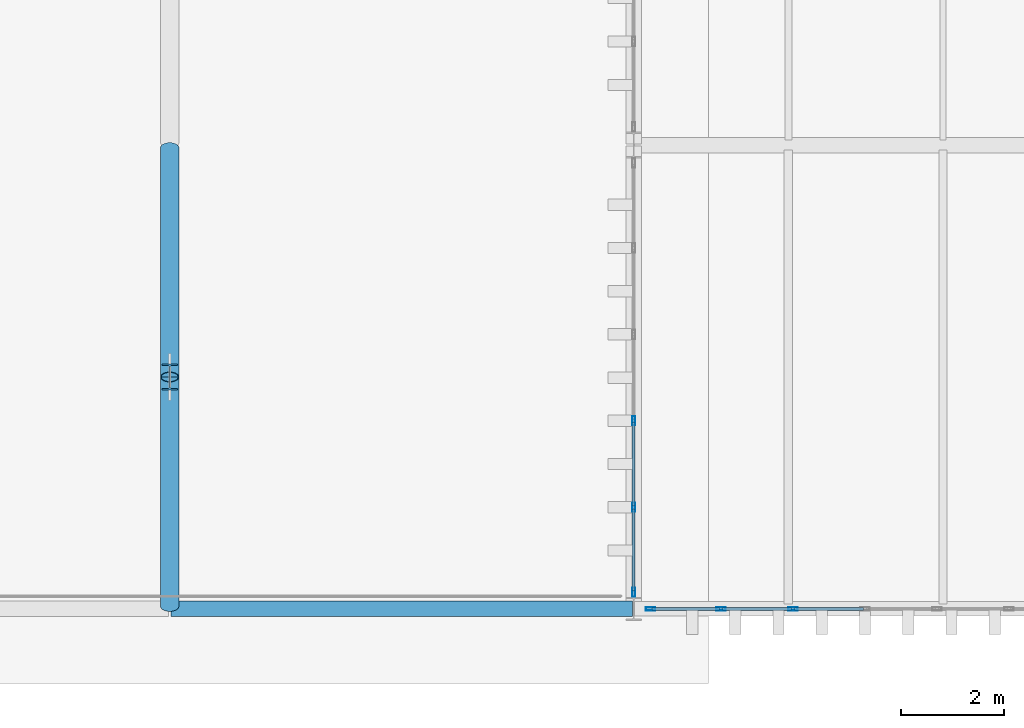
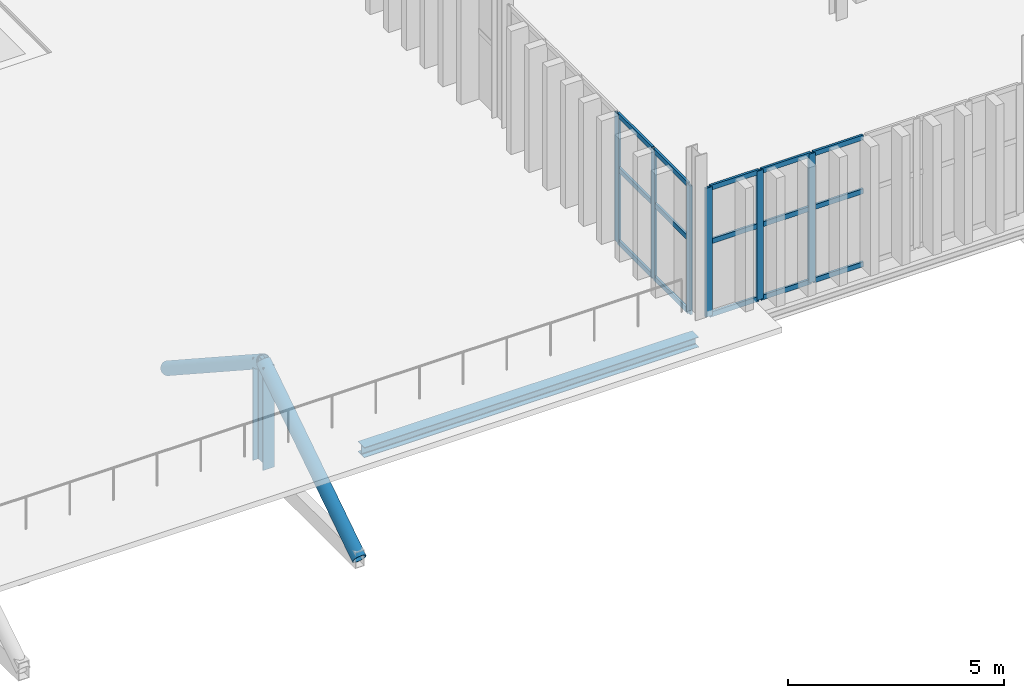
# One storey, part 102 of 196: 24 members, 1 beam, 2 elements without a shape of their own.
"""IFC4 building model written with IfcOpenShell, lengths in metres."""

from ifc_helpers import new_model, si_unit, direction, frame, origin, origin_2d, place, context, subcontext, project, spatial, hollow_rectangle, hollow_circle, i_section, extrude, material, layer, layer_set, material_profile, profile_set, type_object, element, aggregate, save


model = new_model("IFC4")

# Units and contexts
model_context = context("Model", 3, precision=1e-05, world=origin(), true_north=direction((0.0, 1.0)))
body_context = subcontext(model_context, "Body", "Model", "MODEL_VIEW")
ifc_project = project(units=[si_unit("LENGTHUNIT", "METRE"), si_unit("AREAUNIT", "SQUARE_METRE"), si_unit("VOLUMEUNIT", "CUBIC_METRE"), si_unit("PLANEANGLEUNIT", "RADIAN"), si_unit("MASSUNIT", "GRAM", prefix="KILO")], contexts=[model_context])

# Site, building, storey
site_placement = place(None, origin())
site = spatial("IfcSite", under=ifc_project, at=site_placement, CompositionType="ELEMENT")
building_placement = place(site_placement, origin())
building = spatial("IfcBuilding", under=site, at=building_placement, Name="Barlavento Convention Centre", CompositionType="ELEMENT")
storey_placement = place(building_placement, frame((0.0, 0.0, 18.0)))
storey = spatial("IfcBuildingStorey", under=building, at=storey_placement, Name="L03", CompositionType="ELEMENT", Elevation=18.0)

# Curtain wall, members
ifc_material_1 = material(Name="Powder-coated aluminium and Low-E glass", Category="aluminium")
ifc_layer = layer(ifc_material_1, 0.179931640625)
ifc_layer_set = layer_set([ifc_layer], Name="ARC-CW-CONF-L03")
curtain_wall_type = type_object("IfcCurtainWallType", Name="ARC-CW-CONF-L03", PredefinedType="NOTDEFINED", material=ifc_layer_set)
curtain_wall_1_placement = place(storey_placement, origin())
curtain_wall_1 = element("IfcCurtainWall", 1, at=curtain_wall_1_placement, inside=storey, type_object=curtain_wall_type, Name="L03 unitised curtain wall CW08", PredefinedType="NOTDEFINED")
ifc_material_2 = material(Name="Powder-coated aluminium", Category="aluminium")
ifc_material_profile_1 = material_profile(ifc_material_2, hollow_rectangle(XDim=0.06005859375, YDim=0.179931640625, WallThickness=0.0048828125, at=origin_2d()), Name="AL-MULL 60x180x5")
ifc_profile_set_1 = profile_set([ifc_material_profile_1], Name="Powder-coated aluminium")
member_type_1 = type_object("IfcMemberType", Name="ARC-CWM-60X180", PredefinedType="MULLION", material=ifc_profile_set_1)
member_1_placement = place(storey_placement, frame((171.324951171875, 0.0, 0.0), z_axis=(0.0, 0.0, 1.0), x_axis=(0.0, 1.0, 0.0)))
member_1 = element("IfcMember", 2, at=member_1_placement, type_object=member_type_1, Name="CW08 mullion 1", PredefinedType="MULLION", context=body_context, shape_type="SweptSolid", body=[
    extrude(hollow_rectangle(XDim=0.06005859375, YDim=0.179931640625, WallThickness=0.0048828125, at=origin_2d()), origin(), (0.0, 0.0, 1.0), 3.64990234375),
])
member_2_placement = place(storey_placement, frame((172.6923828125, 0.0, 0.0), z_axis=(0.0, 0.0, 1.0), x_axis=(0.0, 1.0, 0.0)))
member_2 = element("IfcMember", 3, at=member_2_placement, type_object=member_type_1, Name="CW08 mullion 2", PredefinedType="MULLION", context=body_context, shape_type="SweptSolid", body=[
    extrude(hollow_rectangle(XDim=0.06005859375, YDim=0.179931640625, WallThickness=0.0048828125, at=origin_2d()), origin(), (0.0, 0.0, 1.0), 3.64990234375),
])
member_3_placement = place(storey_placement, frame((174.090087890625, 0.0, 0.0), z_axis=(0.0, 0.0, 1.0), x_axis=(0.0, 1.0, 0.0)))
member_3 = element("IfcMember", 4, at=member_3_placement, type_object=member_type_1, Name="CW08 mullion 3", PredefinedType="MULLION", context=body_context, shape_type="SweptSolid", body=[
    extrude(hollow_rectangle(XDim=0.06005859375, YDim=0.179931640625, WallThickness=0.0048828125, at=origin_2d()), origin(), (0.0, 0.0, 1.0), 3.64990234375),
])

curtain_wall_2_placement = place(storey_placement, origin())
curtain_wall_2 = element("IfcCurtainWall", 5, at=curtain_wall_2_placement, inside=storey, type_object=curtain_wall_type, Name="L03 unitised curtain wall CW08", PredefinedType="NOTDEFINED")
member_4_placement = place(storey_placement, frame((171.0, 0.324951171875, 0.0), z_axis=(0.0, 0.0, 1.0), x_axis=(-1.0, 0.0, 0.0)))
member_4 = element("IfcMember", 6, at=member_4_placement, type_object=member_type_1, Name="CW08 mullion 1", PredefinedType="MULLION", context=body_context, shape_type="SweptSolid", body=[
    extrude(hollow_rectangle(XDim=0.06005859375, YDim=0.179931640625, WallThickness=0.0048828125, at=origin_2d()), origin(), (0.0, 0.0, 1.0), 3.64990234375),
])
member_5_placement = place(storey_placement, frame((171.0, 1.971923828125, 0.0), z_axis=(0.0, 0.0, 1.0), x_axis=(-1.0, 0.0, 0.0)))
member_5 = element("IfcMember", 7, at=member_5_placement, type_object=member_type_1, Name="CW08 mullion 2", PredefinedType="MULLION", context=body_context, shape_type="SweptSolid", body=[
    extrude(hollow_rectangle(XDim=0.06005859375, YDim=0.179931640625, WallThickness=0.0048828125, at=origin_2d()), origin(), (0.0, 0.0, 1.0), 3.64990234375),
])
member_6_placement = place(storey_placement, frame((171.0, 3.64892578125, 0.0), z_axis=(0.0, 0.0, 1.0), x_axis=(-1.0, 0.0, 0.0)))
member_6 = element("IfcMember", 8, at=member_6_placement, type_object=member_type_1, Name="CW08 mullion 3", PredefinedType="MULLION", context=body_context, shape_type="SweptSolid", body=[
    extrude(hollow_rectangle(XDim=0.06005859375, YDim=0.179931640625, WallThickness=0.0048828125, at=origin_2d()), origin(), (0.0, 0.0, 1.0), 3.64990234375),
])

# Member
ifc_material_profile_2 = material_profile(ifc_material_2, hollow_rectangle(XDim=0.06005859375, YDim=0.139892578125, WallThickness=0.00390625, at=origin_2d()), Name="AL-TRAN 60x140x4")
ifc_profile_set_2 = profile_set([ifc_material_profile_2], Name="Powder-coated aluminium")
member_type_2 = type_object("IfcMemberType", Name="ARC-CWT-60X140", PredefinedType="USERDEFINED", material=ifc_profile_set_2)
member_7_placement = place(storey_placement, frame((171.35498046875, 0.0, 0.030029296875), z_axis=(1.0, 0.0, 0.0), x_axis=(0.0, 1.0, 0.0)))
member_7 = element("IfcMember", 9, at=member_7_placement, type_object=member_type_2, Name="CW08 transom 1.1", ObjectType="TRANSOM", PredefinedType="USERDEFINED", context=body_context, shape_type="SweptSolid", body=[
    extrude(hollow_rectangle(XDim=0.06005859375, YDim=0.139892578125, WallThickness=0.00390625, at=origin_2d()), origin(), (0.0, 0.0, 1.0), 1.3076171875),
])

member_8_placement = place(storey_placement, frame((171.35498046875, 0.0, 2.10009765625), z_axis=(1.0, 0.0, 0.0), x_axis=(0.0, 1.0, 0.0)))
member_8 = element("IfcMember", 10, at=member_8_placement, type_object=member_type_2, Name="CW08 transom 1.2", ObjectType="TRANSOM", PredefinedType="USERDEFINED", context=body_context, shape_type="SweptSolid", body=[
    extrude(hollow_rectangle(XDim=0.06005859375, YDim=0.139892578125, WallThickness=0.00390625, at=origin_2d()), origin(), (0.0, 0.0, 1.0), 1.3076171875),
])

member_9_placement = place(storey_placement, frame((171.35498046875, 0.0, 3.6201171875), z_axis=(1.0, 0.0, 0.0), x_axis=(0.0, 1.0, 0.0)))
member_9 = element("IfcMember", 11, at=member_9_placement, type_object=member_type_2, Name="CW08 transom 1.3", ObjectType="TRANSOM", PredefinedType="USERDEFINED", context=body_context, shape_type="SweptSolid", body=[
    extrude(hollow_rectangle(XDim=0.06005859375, YDim=0.139892578125, WallThickness=0.00390625, at=origin_2d()), origin(), (0.0, 0.0, 1.0), 1.3076171875),
])

member_10_placement = place(storey_placement, frame((172.722412109375, 0.0, 0.030029296875), z_axis=(1.0, 0.0, 0.0), x_axis=(0.0, 1.0, 0.0)))
member_10 = element("IfcMember", 12, at=member_10_placement, type_object=member_type_2, Name="CW08 transom 2.1", ObjectType="TRANSOM", PredefinedType="USERDEFINED", context=body_context, shape_type="SweptSolid", body=[
    extrude(hollow_rectangle(XDim=0.06005859375, YDim=0.139892578125, WallThickness=0.00390625, at=origin_2d()), origin(), (0.0, 0.0, 1.0), 1.337646484375),
])

member_11_placement = place(storey_placement, frame((172.722412109375, 0.0, 2.10009765625), z_axis=(1.0, 0.0, 0.0), x_axis=(0.0, 1.0, 0.0)))
member_11 = element("IfcMember", 13, at=member_11_placement, type_object=member_type_2, Name="CW08 transom 2.2", ObjectType="TRANSOM", PredefinedType="USERDEFINED", context=body_context, shape_type="SweptSolid", body=[
    extrude(hollow_rectangle(XDim=0.06005859375, YDim=0.139892578125, WallThickness=0.00390625, at=origin_2d()), origin(), (0.0, 0.0, 1.0), 1.337646484375),
])

member_12_placement = place(storey_placement, frame((172.722412109375, 0.0, 3.6201171875), z_axis=(1.0, 0.0, 0.0), x_axis=(0.0, 1.0, 0.0)))
member_12 = element("IfcMember", 14, at=member_12_placement, type_object=member_type_2, Name="CW08 transom 2.3", ObjectType="TRANSOM", PredefinedType="USERDEFINED", context=body_context, shape_type="SweptSolid", body=[
    extrude(hollow_rectangle(XDim=0.06005859375, YDim=0.139892578125, WallThickness=0.00390625, at=origin_2d()), origin(), (0.0, 0.0, 1.0), 1.337646484375),
])

member_13_placement = place(storey_placement, frame((174.1201171875, 0.0, 0.030029296875), z_axis=(1.0, 0.0, 0.0), x_axis=(0.0, 1.0, 0.0)))
member_13 = element("IfcMember", 15, at=member_13_placement, type_object=member_type_2, Name="CW08 transom 3.1", ObjectType="TRANSOM", PredefinedType="USERDEFINED", context=body_context, shape_type="SweptSolid", body=[
    extrude(hollow_rectangle(XDim=0.06005859375, YDim=0.139892578125, WallThickness=0.00390625, at=origin_2d()), origin(), (0.0, 0.0, 1.0), 1.33740234375),
])

member_14_placement = place(storey_placement, frame((174.1201171875, 0.0, 2.10009765625), z_axis=(1.0, 0.0, 0.0), x_axis=(0.0, 1.0, 0.0)))
member_14 = element("IfcMember", 16, at=member_14_placement, type_object=member_type_2, Name="CW08 transom 3.2", ObjectType="TRANSOM", PredefinedType="USERDEFINED", context=body_context, shape_type="SweptSolid", body=[
    extrude(hollow_rectangle(XDim=0.06005859375, YDim=0.139892578125, WallThickness=0.00390625, at=origin_2d()), origin(), (0.0, 0.0, 1.0), 1.33740234375),
])

member_15_placement = place(storey_placement, frame((174.1201171875, 0.0, 3.6201171875), z_axis=(1.0, 0.0, 0.0), x_axis=(0.0, 1.0, 0.0)))
member_15 = element("IfcMember", 17, at=member_15_placement, type_object=member_type_2, Name="CW08 transom 3.3", ObjectType="TRANSOM", PredefinedType="USERDEFINED", context=body_context, shape_type="SweptSolid", body=[
    extrude(hollow_rectangle(XDim=0.06005859375, YDim=0.139892578125, WallThickness=0.00390625, at=origin_2d()), origin(), (0.0, 0.0, 1.0), 1.33740234375),
])

aggregate(curtain_wall_1, [member_1, member_2, member_3, member_7, member_8, member_9, member_10, member_11, member_12, member_13, member_14, member_15])

member_16_placement = place(storey_placement, frame((171.0, 0.35498046875, 0.030029296875), z_axis=(0.0, 1.0, 0.0), x_axis=(-1.0, 0.0, 0.0)))
member_16 = element("IfcMember", 18, at=member_16_placement, type_object=member_type_2, Name="CW08 transom 1.1", ObjectType="TRANSOM", PredefinedType="USERDEFINED", context=body_context, shape_type="SweptSolid", body=[
    extrude(hollow_rectangle(XDim=0.06005859375, YDim=0.139892578125, WallThickness=0.00390625, at=origin_2d()), origin(), (0.0, 0.0, 1.0), 1.5869140625),
])

member_17_placement = place(storey_placement, frame((171.0, 0.35498046875, 2.10009765625), z_axis=(0.0, 1.0, 0.0), x_axis=(-1.0, 0.0, 0.0)))
member_17 = element("IfcMember", 19, at=member_17_placement, type_object=member_type_2, Name="CW08 transom 1.2", ObjectType="TRANSOM", PredefinedType="USERDEFINED", context=body_context, shape_type="SweptSolid", body=[
    extrude(hollow_rectangle(XDim=0.06005859375, YDim=0.139892578125, WallThickness=0.00390625, at=origin_2d()), origin(), (0.0, 0.0, 1.0), 1.5869140625),
])

member_18_placement = place(storey_placement, frame((171.0, 0.35498046875, 3.6201171875), z_axis=(0.0, 1.0, 0.0), x_axis=(-1.0, 0.0, 0.0)))
member_18 = element("IfcMember", 20, at=member_18_placement, type_object=member_type_2, Name="CW08 transom 1.3", ObjectType="TRANSOM", PredefinedType="USERDEFINED", context=body_context, shape_type="SweptSolid", body=[
    extrude(hollow_rectangle(XDim=0.06005859375, YDim=0.139892578125, WallThickness=0.00390625, at=origin_2d()), origin(), (0.0, 0.0, 1.0), 1.5869140625),
])

member_19_placement = place(storey_placement, frame((171.0, 2.001953125, 0.030029296875), z_axis=(0.0, 1.0, 0.0), x_axis=(-1.0, 0.0, 0.0)))
member_19 = element("IfcMember", 21, at=member_19_placement, type_object=member_type_2, Name="CW08 transom 2.1", ObjectType="TRANSOM", PredefinedType="USERDEFINED", context=body_context, shape_type="SweptSolid", body=[
    extrude(hollow_rectangle(XDim=0.06005859375, YDim=0.139892578125, WallThickness=0.00390625, at=origin_2d()), origin(), (0.0, 0.0, 1.0), 1.616943359375),
])

member_20_placement = place(storey_placement, frame((171.0, 2.001953125, 2.10009765625), z_axis=(0.0, 1.0, 0.0), x_axis=(-1.0, 0.0, 0.0)))
member_20 = element("IfcMember", 22, at=member_20_placement, type_object=member_type_2, Name="CW08 transom 2.2", ObjectType="TRANSOM", PredefinedType="USERDEFINED", context=body_context, shape_type="SweptSolid", body=[
    extrude(hollow_rectangle(XDim=0.06005859375, YDim=0.139892578125, WallThickness=0.00390625, at=origin_2d()), origin(), (0.0, 0.0, 1.0), 1.616943359375),
])

member_21_placement = place(storey_placement, frame((171.0, 2.001953125, 3.6201171875), z_axis=(0.0, 1.0, 0.0), x_axis=(-1.0, 0.0, 0.0)))
member_21 = element("IfcMember", 23, at=member_21_placement, type_object=member_type_2, Name="CW08 transom 2.3", ObjectType="TRANSOM", PredefinedType="USERDEFINED", context=body_context, shape_type="SweptSolid", body=[
    extrude(hollow_rectangle(XDim=0.06005859375, YDim=0.139892578125, WallThickness=0.00390625, at=origin_2d()), origin(), (0.0, 0.0, 1.0), 1.616943359375),
])

aggregate(curtain_wall_2, [member_4, member_5, member_6, member_16, member_17, member_18, member_19, member_20, member_21])

# Beam
ifc_material_3 = material(Name="Steel S355", Category="steel")
ifc_material_profile_3 = material_profile(ifc_material_3, i_section(OverallWidth=0.300048828125, OverallDepth=0.2900390625, WebThickness=0.008544921875, FlangeThickness=0.013916015625, FilletRadius=0.027099609375, at=origin_2d()), Name="HEA 300")
ifc_profile_set_3 = profile_set([ifc_material_profile_3], Name="Steel S355")
beam_type = type_object("IfcBeamType", Name="STR-BM-SPN-HEA300", PredefinedType="SPANDREL", material=ifc_profile_set_3)
beam_placement = place(storey_placement, frame((162.02001953125, 0.0, -0.534912109375), z_axis=(1.0, 0.0, 0.0), x_axis=(0.0, 1.0, 0.0)))
element("IfcBeam", 24, at=beam_placement, inside=storey, type_object=beam_type, Name="L03 primary girder SP02", PredefinedType="SPANDREL", context=body_context, shape_type="SweptSolid", body=[
    extrude(i_section(OverallWidth=0.300048828125, OverallDepth=0.2900390625, WebThickness=0.008544921875, FlangeThickness=0.013916015625, FilletRadius=0.027099609375, at=origin_2d()), origin(), (0.0, 0.0, 1.0), 8.9599609375),
])

# Members
ifc_material_profile_4 = material_profile(ifc_material_3, hollow_circle(Radius=0.177734375, WallThickness=0.01611328125, at=origin_2d()), Name="CHS 355.6x16.0")
ifc_profile_set_4 = profile_set([ifc_material_profile_4], Name="Steel S355")
member_type_3 = type_object("IfcMemberType", Name="STR-MEM-CHD-CHS355", PredefinedType="CHORD", material=ifc_profile_set_4)
for number, where, z_axis, x_axis, name in (
    (25, (162.0, 0.050048828125, -3.64990234375), (0.0, 0.837635280433, 0.5462299305), (-1.0, 0.0, 0.0), "Ballroom transfer truss diagonal TC01"),
    (26, (162.0, 4.5, -0.748046875), (0.0, 0.837635280433, -0.5462299305), (-1.0, 0.0, 0.0), "Ballroom transfer truss diagonal TC01"),
):
    element("IfcMember", number, at=place(storey_placement, frame(where, z_axis=z_axis, x_axis=x_axis)), inside=storey, type_object=member_type_3, Name=name, PredefinedType="CHORD", context=body_context, shape_type="SweptSolid", body=[
        extrude(hollow_circle(Radius=0.177734375, WallThickness=0.01611328125, at=origin_2d()), origin(), (0.0, 0.0, 1.0), 5.3125),
    ])
ifc_material_4 = material(Name="Steel S460", Category="steel")
ifc_material_profile_5 = material_profile(ifc_material_4, i_section(OverallWidth=0.300048828125, OverallDepth=0.5, WebThickness=0.014404296875, FlangeThickness=0.028076171875, FilletRadius=0.027099609375, at=origin_2d()), Name="HEB 500")
ifc_profile_set_5 = profile_set([ifc_material_profile_5], Name="Steel S460")
member_type_4 = type_object("IfcMemberType", Name="STR-MEM-STRUT-HEB500", PredefinedType="STRUT", material=ifc_profile_set_5)
member_22_placement = place(storey_placement, frame((162.0, 4.5, -3.64990234375), z_axis=(0.0, 0.0, 1.0), x_axis=(1.0, 0.0, 0.0)))
element("IfcMember", 27, at=member_22_placement, inside=storey, type_object=member_type_4, Name="Ballroom transfer truss vertical post", PredefinedType="STRUT", context=body_context, shape_type="SweptSolid", body=[
    extrude(i_section(OverallWidth=0.300048828125, OverallDepth=0.5, WebThickness=0.014404296875, FlangeThickness=0.028076171875, FilletRadius=0.027099609375, at=origin_2d()), origin(), (0.0, 0.0, 1.0), 2.90185546875),
])

save(model, "model.ifc")
